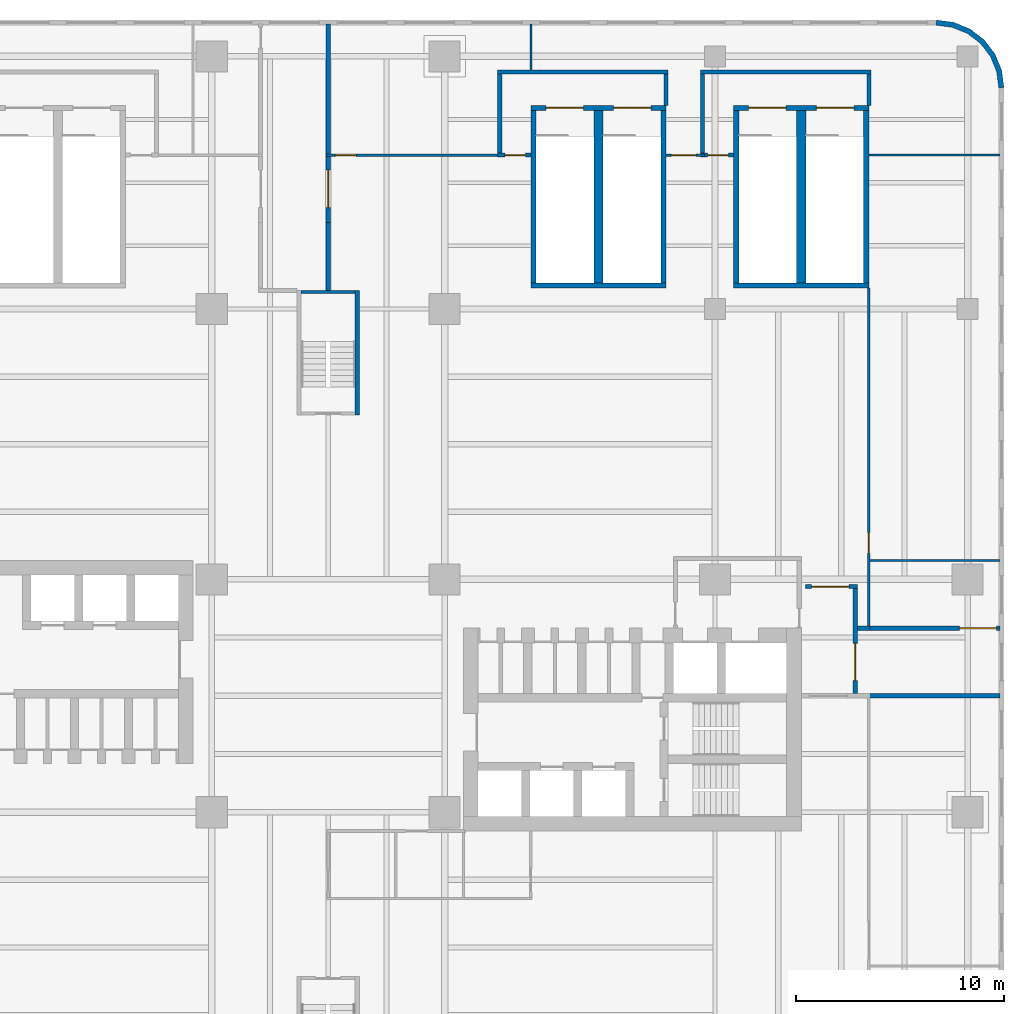
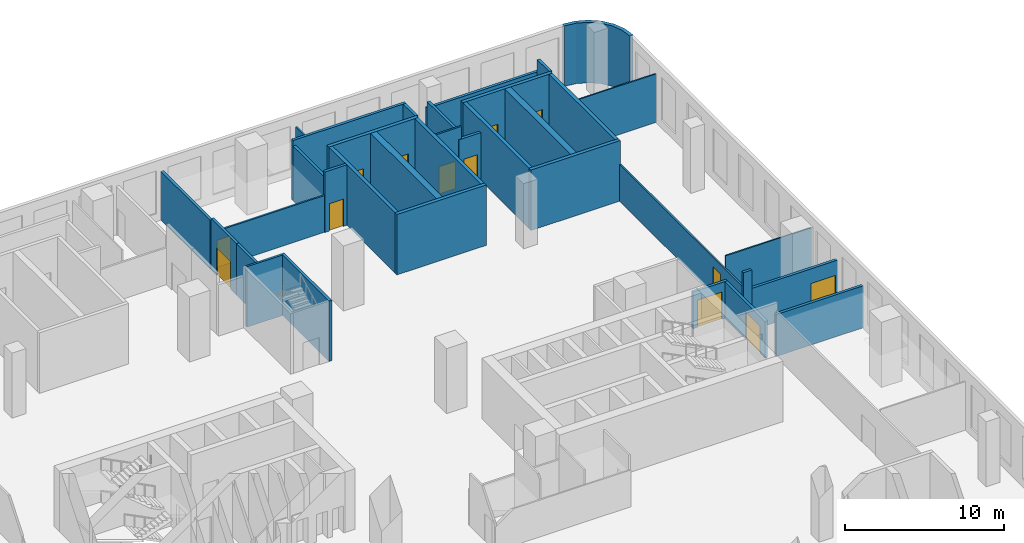
# One storey, part 10 of 13: 35 walls, 13 doors, 13 openings.
"""IFC4 building model written with IfcOpenShell, lengths in metres."""

from ifc_helpers import new_model, si_unit, direction, frame, frame_2d, origin, place, context, subcontext, project, spatial, polyline, rectangle, outline, extrude, source, transform, mapped, material, layer, layer_set, type_object, element, fill, save


model = new_model("IFC4")

# Units and contexts
model_context = context("Model", 3, precision=1e-05, world=origin(), true_north=direction((0.0, 1.0)))
body_context = subcontext(model_context, "Body", "Model", "MODEL_VIEW")
ifc_project = project(units=[si_unit("LENGTHUNIT", "METRE"), si_unit("AREAUNIT", "SQUARE_METRE"), si_unit("VOLUMEUNIT", "CUBIC_METRE"), si_unit("PLANEANGLEUNIT", "RADIAN"), si_unit("MASSUNIT", "GRAM", prefix="KILO")], contexts=[model_context])

# Site, building, storey
site_placement = place(None, origin())
site = spatial("IfcSite", under=ifc_project, at=site_placement, CompositionType="ELEMENT")
building_placement = place(site_placement, origin())
building = spatial("IfcBuilding", under=site, at=building_placement, Name="Trellis Farm Tower", CompositionType="ELEMENT")
storey_placement = place(building_placement, frame((0.0, 0.0, 29.0)))
storey = spatial("IfcBuildingStorey", under=building, at=storey_placement, Name="L05", CompositionType="ELEMENT", Elevation=29.0)

# Walls
ifc_material_1 = material(Name="Sandstone faced insulated wall", Category="masonry")
ifc_layer_1 = layer(ifc_material_1, 0.25)
ifc_layer_set_1 = layer_set([ifc_layer_1], Name="STONE CLAD EXTERNAL WALL 250")
wall_type_1 = type_object("IfcWallType", Name="STONE CLAD EXTERNAL WALL 250", PredefinedType="SOLIDWALL", material=ifc_layer_set_1)
wall_1_placement = place(storey_placement, origin())
element("IfcWall", 1, at=wall_1_placement, inside=storey, type_object=wall_type_1, Name="EW5 C01", PredefinedType="SOLIDWALL", context=body_context, shape_type="SweptSolid", body=[
    extrude(outline(polyline([(32.5, 29.25), (32.38916015625, 30.091064453125), (32.064697265625, 30.875), (31.548095703125, 31.548095703125), (30.875, 32.064697265625), (30.091064453125, 32.38916015625), (29.25, 32.5), (29.233642578125, 32.25), (30.02587890625, 32.145751953125), (30.7490234375, 31.84619140625), (31.369873046875, 31.369873046875), (31.84619140625, 30.7490234375), (32.145751953125, 30.02587890625), (32.25, 29.233642578125), (32.5, 29.25)])), origin(), (0.0, 0.0, 1.0), 4.64990234375),
])
ifc_material_2 = material(Name="Concrete C80/95", Category="concrete")
ifc_layer_2 = layer(ifc_material_2, 0.199951171875)
ifc_layer_set_2 = layer_set([ifc_layer_2], Name="CORE STAIR ENCLOSURE WALL 200 CONCRETE C80/95")
wall_type_2 = type_object("IfcWallType", Name="CORE STAIR ENCLOSURE WALL 200 CONCRETE C80/95", PredefinedType="SHEAR", material=ifc_layer_set_2)
shared_shape_1 = source(origin(), body_context, "Body", "SweptSolid", [
    extrude(rectangle(XDim=6.0, YDim=0.199951171875, at=frame_2d((3.0, 0.0))), origin(), (0.0, 0.0, 1.0), 4.64990234375),
])
wall_2_placement = place(storey_placement, frame((1.39990234375, 13.5, 0.0), z_axis=(0.0, 0.0, 1.0), x_axis=(0.0, 1.0, 0.0)))
element("IfcWall", 2, at=wall_2_placement, inside=storey, type_object=wall_type_2, Name="Stair enclosure wall", PredefinedType="SHEAR", context=body_context, shape_type="MappedRepresentation", body=[
    mapped(shared_shape_1, transform((0.0, 0.0, 0.0))),
])
ifc_layer_3 = layer(ifc_material_2, 0.14990234375)
ifc_layer_set_3 = layer_set([ifc_layer_3], Name="CORE STAIR ENCLOSURE WALL 150 CONCRETE C80/95")
wall_type_3 = type_object("IfcWallType", Name="CORE STAIR ENCLOSURE WALL 150 CONCRETE C80/95", PredefinedType="SHEAR", material=ifc_layer_set_3)
shared_shape_2 = source(origin(), body_context, "Body", "SweptSolid", [
    extrude(rectangle(XDim=2.60009765625, YDim=0.14990234375, at=frame_2d((1.300048828125, 0.0))), origin(), (0.0, 0.0, 1.0), 4.64990234375),
])
wall_3_placement = place(storey_placement, frame((-1.300048828125, 19.425048828125, 0.0), z_axis=(0.0, 0.0, 1.0), x_axis=(1.0, 0.0, 0.0)))
element("IfcWall", 3, at=wall_3_placement, inside=storey, type_object=wall_type_3, Name="Stair enclosure wall", PredefinedType="SHEAR", context=body_context, shape_type="MappedRepresentation", body=[
    mapped(shared_shape_2, transform((0.0, 0.0, 0.0))),
])

# Wall, openings, doors
ifc_layer_4 = layer(ifc_material_2, 0.25)
ifc_layer_set_4 = layer_set([ifc_layer_4], Name="CORE STAIR ENCLOSURE WALL 250 CONCRETE C80/95")
wall_type_4 = type_object("IfcWallType", Name="CORE STAIR ENCLOSURE WALL 250 CONCRETE C80/95", PredefinedType="SHEAR", material=ifc_layer_set_4)
shared_shape_3 = source(origin(), body_context, "Body", "SweptSolid", [
    extrude(rectangle(XDim=6.5, YDim=0.25, at=frame_2d((3.25, 0.0))), origin(), (0.0, 0.0, 1.0), 4.64990234375),
])
wall_4_placement = place(storey_placement, frame((9.75, 28.27490234375, 0.0), z_axis=(0.0, 0.0, 1.0), x_axis=(1.0, 0.0, 0.0)))
wall_4 = element("IfcWall", 4, at=wall_4_placement, inside=storey, type_object=wall_type_4, Name="Podium stair enclosure wall", PredefinedType="SHEAR", context=body_context, shape_type="MappedRepresentation", body=[
    mapped(shared_shape_3, transform((0.0, 0.0, 0.0))),
])
shared_shape_4 = source(origin(), body_context, "Body", "SweptSolid", [
    extrude(rectangle(XDim=1.800048828125, YDim=2.10009765625, at=frame_2d((0.89990234375, 1.050048828125))), frame((0.0, 0.135009765625, 0.0), z_axis=(0.0, -1.0, 0.0), x_axis=(1.0, 0.0, 0.0)), (0.0, 0.0, 1.0), 0.27001953125),
])
opening_1_placement = place(wall_4_placement, frame((0.72509765625, 0.0, 0.0)))
opening_1 = element("IfcOpeningElement", 5, at=opening_1_placement, cuts=wall_4, Name="Opening DP5", PredefinedType="OPENING", context=body_context, shape_type="MappedRepresentation", body=[
    mapped(shared_shape_4, transform((0.0, 0.0, 0.0))),
])
opening_2_placement = place(wall_4_placement, frame((3.97509765625, 0.0, 0.0)))
opening_2 = element("IfcOpeningElement", 6, at=opening_2_placement, cuts=wall_4, Name="Opening DP6", PredefinedType="OPENING", context=body_context, shape_type="MappedRepresentation", body=[
    mapped(shared_shape_4, transform((0.0, 0.0, 0.0))),
])
ifc_material_3 = material(Name="Steel", Category="steel")
door_type_1 = type_object("IfcDoorType", Name="CORE FIRE DOOR DOUBLE 1800 X 2100", OperationType="DOUBLE_DOOR_SINGLE_SWING", PredefinedType="DOOR", material=ifc_material_3)
shared_shape_5 = source(origin(), body_context, "Body", "SweptSolid", [
    extrude(rectangle(XDim=1.800048828125, YDim=2.10009765625, at=frame_2d((0.89990234375, 1.050048828125))), frame((0.0, 0.02490234375, 0.0), z_axis=(0.0, -1.0, 0.0), x_axis=(1.0, 0.0, 0.0)), (0.0, 0.0, 1.0), 0.050048828125),
])
door_1_placement = place(opening_1_placement, origin())
door_1 = element("IfcDoor", 7, at=door_1_placement, inside=storey, type_object=door_type_1, Name="Podium stair door", OperationType="DOUBLE_DOOR_SINGLE_SWING", OverallHeight=2.10009765625, OverallWidth=1.800048828125, PredefinedType="DOOR", context=body_context, shape_type="MappedRepresentation", body=[
    mapped(shared_shape_5, transform((0.0, 0.0, 0.0))),
])
fill(opening_1, door_1)
door_2_placement = place(opening_2_placement, origin())
door_2 = element("IfcDoor", 8, at=door_2_placement, inside=storey, type_object=door_type_1, Name="Podium stair door", OperationType="DOUBLE_DOOR_SINGLE_SWING", OverallHeight=2.10009765625, OverallWidth=1.800048828125, PredefinedType="DOOR", context=body_context, shape_type="MappedRepresentation", body=[
    mapped(shared_shape_5, transform((0.0, 0.0, 0.0))),
])
fill(opening_2, door_2)

# Wall
wall_5_placement = place(storey_placement, frame((9.75, 19.72509765625, 0.0), z_axis=(0.0, 0.0, 1.0), x_axis=(1.0, 0.0, 0.0)))
element("IfcWall", 9, at=wall_5_placement, inside=storey, type_object=wall_type_4, Name="Podium stair enclosure wall", PredefinedType="SHEAR", context=body_context, shape_type="MappedRepresentation", body=[
    mapped(shared_shape_3, transform((0.0, 0.0, 0.0))),
])

# Wall, openings, doors
wall_6_placement = place(storey_placement, frame((19.5, 28.27490234375, 0.0), z_axis=(0.0, 0.0, 1.0), x_axis=(1.0, 0.0, 0.0)))
wall_6 = element("IfcWall", 10, at=wall_6_placement, inside=storey, type_object=wall_type_4, Name="Podium stair enclosure wall", PredefinedType="SHEAR", context=body_context, shape_type="MappedRepresentation", body=[
    mapped(shared_shape_3, transform((0.0, 0.0, 0.0))),
])
opening_3_placement = place(wall_6_placement, frame((0.72509765625, 0.0, 0.0)))
opening_3 = element("IfcOpeningElement", 11, at=opening_3_placement, cuts=wall_6, Name="Opening DP7", PredefinedType="OPENING", context=body_context, shape_type="MappedRepresentation", body=[
    mapped(shared_shape_4, transform((0.0, 0.0, 0.0))),
])
opening_4_placement = place(wall_6_placement, frame((3.97509765625, 0.0, 0.0)))
opening_4 = element("IfcOpeningElement", 12, at=opening_4_placement, cuts=wall_6, Name="Opening DP8", PredefinedType="OPENING", context=body_context, shape_type="MappedRepresentation", body=[
    mapped(shared_shape_4, transform((0.0, 0.0, 0.0))),
])
door_3_placement = place(opening_3_placement, origin())
door_3 = element("IfcDoor", 13, at=door_3_placement, inside=storey, type_object=door_type_1, Name="Podium stair door", OperationType="DOUBLE_DOOR_SINGLE_SWING", OverallHeight=2.10009765625, OverallWidth=1.800048828125, PredefinedType="DOOR", context=body_context, shape_type="MappedRepresentation", body=[
    mapped(shared_shape_5, transform((0.0, 0.0, 0.0))),
])
fill(opening_3, door_3)
door_4_placement = place(opening_4_placement, origin())
door_4 = element("IfcDoor", 14, at=door_4_placement, inside=storey, type_object=door_type_1, Name="Podium stair door", OperationType="DOUBLE_DOOR_SINGLE_SWING", OverallHeight=2.10009765625, OverallWidth=1.800048828125, PredefinedType="DOOR", context=body_context, shape_type="MappedRepresentation", body=[
    mapped(shared_shape_5, transform((0.0, 0.0, 0.0))),
])
fill(opening_4, door_4)

# Walls
wall_7_placement = place(storey_placement, frame((19.5, 19.72509765625, 0.0), z_axis=(0.0, 0.0, 1.0), x_axis=(1.0, 0.0, 0.0)))
element("IfcWall", 15, at=wall_7_placement, inside=storey, type_object=wall_type_4, Name="Podium stair enclosure wall", PredefinedType="SHEAR", context=body_context, shape_type="MappedRepresentation", body=[
    mapped(shared_shape_3, transform((0.0, 0.0, 0.0))),
])
shared_shape_6 = source(origin(), body_context, "Body", "SweptSolid", [
    extrude(rectangle(XDim=8.2998046875, YDim=0.25, at=frame_2d((4.14990234375, 0.0))), origin(), (0.0, 0.0, 1.0), 4.64990234375),
])
for number, where, z_axis, x_axis, name in (
    (16, (9.875, 19.85009765625, 0.0), (0.0, 0.0, 1.0), (0.0, 1.0, 0.0), "Podium stair enclosure wall"),
    (17, (16.125, 19.85009765625, 0.0), (0.0, 0.0, 1.0), (0.0, 1.0, 0.0), "Podium stair enclosure wall"),
    (18, (19.625, 19.85009765625, 0.0), (0.0, 0.0, 1.0), (0.0, 1.0, 0.0), "Podium stair enclosure wall"),
    (19, (25.875, 19.85009765625, 0.0), (0.0, 0.0, 1.0), (0.0, 1.0, 0.0), "Podium stair enclosure wall"),
):
    element("IfcWall", number, at=place(storey_placement, frame(where, z_axis=z_axis, x_axis=x_axis)), inside=storey, type_object=wall_type_4, Name=name, PredefinedType="SHEAR", context=body_context, shape_type="MappedRepresentation", body=[
        mapped(shared_shape_6, transform((0.0, 0.0, 0.0))),
    ])
ifc_layer_5 = layer(ifc_material_2, 0.43994140625)
ifc_layer_set_5 = layer_set([ifc_layer_5], Name="CORE STAIR ENCLOSURE WALL 440 CONCRETE C80/95")
wall_type_5 = type_object("IfcWallType", Name="CORE STAIR ENCLOSURE WALL 440 CONCRETE C80/95", PredefinedType="SHEAR", material=ifc_layer_set_5)
shared_shape_7 = source(origin(), body_context, "Body", "SweptSolid", [
    extrude(rectangle(XDim=8.2998046875, YDim=0.43994140625, at=frame_2d((4.14990234375, 0.0))), origin(), (0.0, 0.0, 1.0), 4.64990234375),
])
for number, where, z_axis, x_axis, name in (
    (20, (13.0, 19.85009765625, 0.0), (0.0, 0.0, 1.0), (0.0, 1.0, 0.0), "Podium stair enclosure wall"),
    (21, (22.75, 19.85009765625, 0.0), (0.0, 0.0, 1.0), (0.0, 1.0, 0.0), "Podium stair enclosure wall"),
):
    element("IfcWall", number, at=place(storey_placement, frame(where, z_axis=z_axis, x_axis=x_axis)), inside=storey, type_object=wall_type_5, Name=name, PredefinedType="SHEAR", context=body_context, shape_type="MappedRepresentation", body=[
        mapped(shared_shape_7, transform((0.0, 0.0, 0.0))),
    ])
ifc_material_4 = material(Name="Lightweight blockwork, plastered", Category="masonry")
ifc_layer_6 = layer(ifc_material_4, 0.199951171875)
ifc_layer_set_6 = layer_set([ifc_layer_6], Name="BLOCK WALL 200 EI 120")
wall_type_6 = type_object("IfcWallType", Name="BLOCK WALL 200 EI 120", PredefinedType="PARTITIONING", material=ifc_layer_set_6)
shared_shape_8 = source(origin(), body_context, "Body", "SweptSolid", [
    extrude(rectangle(XDim=1.5, YDim=0.199951171875, at=frame_2d((0.75, 0.0))), origin(), (0.0, 0.0, 1.0), 4.64990234375),
])
for number, where, z_axis, x_axis, name in (
    (22, (16.25, 29.89990234375, 0.0), (0.0, 0.0, 1.0), (0.0, -1.0, 0.0), "Partition PW3"),
    (23, (26.0, 29.89990234375, 0.0), (0.0, 0.0, 1.0), (0.0, -1.0, 0.0), "Partition PW3"),
):
    element("IfcWall", number, at=place(storey_placement, frame(where, z_axis=z_axis, x_axis=x_axis)), inside=storey, type_object=wall_type_6, Name=name, PredefinedType="PARTITIONING", context=body_context, shape_type="MappedRepresentation", body=[
        mapped(shared_shape_8, transform((0.0, 0.0, 0.0))),
    ])
shared_shape_9 = source(origin(), body_context, "Body", "SweptSolid", [
    extrude(rectangle(XDim=3.7998046875, YDim=0.199951171875, at=frame_2d((1.89990234375, 0.0))), origin(), (0.0, 0.0, 1.0), 4.2236328125),
])
for number, where, z_axis, x_axis, name in (
    (24, (8.25, 26.10009765625, 0.0), (0.0, 0.0, 1.0), (0.0, 1.0, 0.0), "Partition PW3"),
    (25, (18.0, 29.89990234375, 0.0), (0.0, 0.0, 1.0), (0.0, -1.0, 0.0), "Partition PW3"),
):
    element("IfcWall", number, at=place(storey_placement, frame(where, z_axis=z_axis, x_axis=x_axis)), inside=storey, type_object=wall_type_6, Name=name, PredefinedType="PARTITIONING", context=body_context, shape_type="MappedRepresentation", body=[
        mapped(shared_shape_9, transform((0.0, 0.0, 0.0))),
    ])
shared_shape_10 = source(origin(), body_context, "Body", "SweptSolid", [
    extrude(rectangle(XDim=6.237548828125, YDim=0.199951171875, at=frame_2d((3.11865234375, 0.0))), origin(), (0.0, 0.0, 1.0), 3.72998046875),
])
wall_8_placement = place(storey_placement, frame((0.0, 32.300048828125, 0.0), z_axis=(0.0, 0.0, 1.0), x_axis=(0.0, -1.0, 0.0)))
element("IfcWall", 26, at=wall_8_placement, inside=storey, type_object=wall_type_6, Name="Partition PW3", PredefinedType="PARTITIONING", context=body_context, shape_type="MappedRepresentation", body=[
    mapped(shared_shape_10, transform((0.0, 0.0, 0.0))),
])

# Wall, opening, door
shared_shape_11 = source(origin(), body_context, "Body", "SweptSolid", [
    extrude(rectangle(XDim=3.1875, YDim=0.199951171875, at=frame_2d((1.59375, 0.0))), origin(), (0.0, 0.0, 1.0), 3.946533203125),
])
wall_9_placement = place(storey_placement, frame((0.0, 25.9375, 0.0), z_axis=(0.0, 0.0, 1.0), x_axis=(0.0, -1.0, 0.0)))
wall_9 = element("IfcWall", 27, at=wall_9_placement, inside=storey, type_object=wall_type_6, Name="Partition PW3", PredefinedType="PARTITIONING", context=body_context, shape_type="MappedRepresentation", body=[
    mapped(shared_shape_11, transform((0.0, 0.0, 0.0))),
])
shared_shape_12 = source(origin(), body_context, "Body", "SweptSolid", [
    extrude(rectangle(XDim=1.800048828125, YDim=2.10009765625, at=frame_2d((0.89990234375, 1.050048828125))), frame((0.0, 0.110107421875, 0.0), z_axis=(0.0, -1.0, 0.0), x_axis=(1.0, 0.0, 0.0)), (0.0, 0.0, 1.0), 0.22021484375),
])
opening_5_placement = place(wall_9_placement, frame((0.66259765625, 0.0, 0.0)))
opening_5 = element("IfcOpeningElement", 28, at=opening_5_placement, cuts=wall_9, Name="Opening D410", PredefinedType="OPENING", context=body_context, shape_type="MappedRepresentation", body=[
    mapped(shared_shape_12, transform((0.0, 0.0, 0.0))),
])
ifc_material_5 = material(Name="Fire-rated timber door leaf in a hollow metal frame", Category="wood")
door_type_2 = type_object("IfcDoorType", Name="DOOR PAIR 1800x2100 FD60", OperationType="NOTDEFINED", PredefinedType="DOOR", material=ifc_material_5)
door_5_placement = place(opening_5_placement, origin())
door_5 = element("IfcDoor", 29, at=door_5_placement, inside=storey, type_object=door_type_2, Name="Door D410", OperationType="DOUBLE_DOOR_SINGLE_SWING", OverallHeight=2.10009765625, OverallWidth=1.800048828125, PredefinedType="DOOR", context=body_context, shape_type="MappedRepresentation", body=[
    mapped(shared_shape_5, transform((0.0, 0.0, 0.0))),
])
fill(opening_5, door_5)

# Walls
shared_shape_13 = source(origin(), body_context, "Body", "SweptSolid", [
    extrude(rectangle(XDim=3.25, YDim=0.199951171875, at=frame_2d((1.625, 0.0))), origin(), (0.0, 0.0, 1.0), 3.946533203125),
])
wall_10_placement = place(storey_placement, frame((0.0, 19.5, 0.0), z_axis=(0.0, 0.0, 1.0), x_axis=(0.0, 1.0, 0.0)))
element("IfcWall", 30, at=wall_10_placement, inside=storey, type_object=wall_type_6, Name="Partition PW3", PredefinedType="PARTITIONING", context=body_context, shape_type="MappedRepresentation", body=[
    mapped(shared_shape_13, transform((0.0, 0.0, 0.0))),
])
ifc_material_6 = material(Name="Plasterboard on steel studs", Category="steel")
ifc_layer_7 = layer(ifc_material_6, 0.10009765625)
ifc_layer_set_7 = layer_set([ifc_layer_7], Name="PARTITION 100 STUD EI 30")
wall_type_7 = type_object("IfcWallType", Name="PARTITION 100 STUD EI 30", PredefinedType="PARTITIONING", material=ifc_layer_set_7)
shared_shape_14 = source(origin(), body_context, "Body", "SweptSolid", [
    extrude(rectangle(XDim=6.237548828125, YDim=0.10009765625, at=frame_2d((3.11865234375, 0.0))), origin(), (0.0, 0.0, 1.0), 3.72998046875),
])
wall_11_placement = place(storey_placement, frame((26.0625, 6.5, 0.0), z_axis=(0.0, 0.0, 1.0), x_axis=(1.0, 0.0, 0.0)))
element("IfcWall", 31, at=wall_11_placement, inside=storey, type_object=wall_type_7, Name="Partition PW2", PredefinedType="PARTITIONING", context=body_context, shape_type="MappedRepresentation", body=[
    mapped(shared_shape_14, transform((0.0, 0.0, 0.0))),
])
shared_shape_15 = source(origin(), body_context, "Body", "SweptSolid", [
    extrude(rectangle(XDim=2.199951171875, YDim=0.10009765625, at=frame_2d((1.10009765625, 0.0))), origin(), (0.0, 0.0, 1.0), 3.72998046875),
])
wall_12_placement = place(storey_placement, frame((9.75, 30.10009765625, 0.0), z_axis=(0.0, 0.0, 1.0), x_axis=(0.0, 1.0, 0.0)))
element("IfcWall", 32, at=wall_12_placement, inside=storey, type_object=wall_type_7, Name="Partition PW2", PredefinedType="PARTITIONING", context=body_context, shape_type="MappedRepresentation", body=[
    mapped(shared_shape_15, transform((0.0, 0.0, 0.0))),
])

# Wall, opening, door
shared_shape_16 = source(origin(), body_context, "Body", "SweptSolid", [
    extrude(rectangle(XDim=5.0498046875, YDim=0.199951171875, at=frame_2d((2.52490234375, 0.0))), origin(), (0.0, 0.0, 1.0), 2.830078125),
])
wall_13_placement = place(storey_placement, frame((25.35009765625, 5.14990234375, 0.0), z_axis=(0.0, 0.0, 1.0), x_axis=(0.0, -1.0, 0.0)))
wall_13 = element("IfcWall", 33, at=wall_13_placement, inside=storey, type_object=wall_type_6, Name="Partition PW3", PredefinedType="PARTITIONING", context=body_context, shape_type="MappedRepresentation", body=[
    mapped(shared_shape_16, transform((0.0, 0.0, 0.0))),
])
opening_6_placement = place(wall_13_placement, frame((2.625, 0.0, 0.0)))
opening_6 = element("IfcOpeningElement", 34, at=opening_6_placement, cuts=wall_13, Name="Opening D407", PredefinedType="OPENING", context=body_context, shape_type="MappedRepresentation", body=[
    mapped(shared_shape_12, transform((0.0, 0.0, 0.0))),
])
door_6_placement = place(opening_6_placement, origin())
door_6 = element("IfcDoor", 35, at=door_6_placement, inside=storey, type_object=door_type_2, Name="Door D407", OperationType="DOUBLE_DOOR_SINGLE_SWING", OverallHeight=2.10009765625, OverallWidth=1.800048828125, PredefinedType="DOOR", context=body_context, shape_type="MappedRepresentation", body=[
    mapped(shared_shape_5, transform((0.0, 0.0, 0.0))),
])
fill(opening_6, door_6)

ifc_material_7 = material(Name="Plasterboard on steel studs, mineral wool", Category="steel")
ifc_layer_8 = layer(ifc_material_7, 0.125)
ifc_layer_set_8 = layer_set([ifc_layer_8], Name="PARTITION 125 STUD EI 60")
wall_type_8 = type_object("IfcWallType", Name="PARTITION 125 STUD EI 60", PredefinedType="PARTITIONING", material=ifc_layer_set_8)
shared_shape_17 = source(origin(), body_context, "Body", "SweptSolid", [
    extrude(rectangle(XDim=16.25, YDim=0.125, at=frame_2d((8.125, 0.0))), origin(), (0.0, 0.0, 1.0), 2.830078125),
])
wall_14_placement = place(storey_placement, frame((26.0, 19.60009765625, 0.0), z_axis=(0.0, 0.0, 1.0), x_axis=(0.0, -1.0, 0.0)))
wall_14 = element("IfcWall", 36, at=wall_14_placement, inside=storey, type_object=wall_type_8, Name="Partition PW1", PredefinedType="PARTITIONING", context=body_context, shape_type="MappedRepresentation", body=[
    mapped(shared_shape_17, transform((0.0, 0.0, 0.0))),
])
shared_shape_18 = source(origin(), body_context, "Body", "SweptSolid", [
    extrude(rectangle(XDim=1.0, YDim=2.10009765625, at=frame_2d((0.5, 1.050048828125))), frame((0.0, 0.072509765625, 0.0), z_axis=(0.0, -1.0, 0.0), x_axis=(1.0, 0.0, 0.0)), (0.0, 0.0, 1.0), 0.14501953125),
])
opening_7_placement = place(wall_14_placement, frame((11.75, 0.0, 0.0)))
opening_7 = element("IfcOpeningElement", 37, at=opening_7_placement, cuts=wall_14, Name="Opening D107", PredefinedType="OPENING", context=body_context, shape_type="MappedRepresentation", body=[
    mapped(shared_shape_18, transform((0.0, 0.0, 0.0))),
])
door_type_3 = type_object("IfcDoorType", Name="DOOR 1000x2100 FD30S", OperationType="NOTDEFINED", PredefinedType="DOOR", material=ifc_material_5)
shared_shape_19 = source(origin(), body_context, "Body", "SweptSolid", [
    extrude(rectangle(XDim=1.0, YDim=2.10009765625, at=frame_2d((0.5, 1.050048828125))), frame((0.0, 0.02490234375, 0.0), z_axis=(0.0, -1.0, 0.0), x_axis=(1.0, 0.0, 0.0)), (0.0, 0.0, 1.0), 0.050048828125),
])
door_7_placement = place(opening_7_placement, origin())
door_7 = element("IfcDoor", 38, at=door_7_placement, inside=storey, type_object=door_type_3, Name="Door D107", OperationType="SINGLE_SWING_RIGHT", OverallHeight=2.10009765625, OverallWidth=1.0, PredefinedType="DOOR", context=body_context, shape_type="MappedRepresentation", body=[
    mapped(shared_shape_19, transform((0.0, 0.0, 0.0))),
])
fill(opening_7, door_7)

# Walls
shared_shape_20 = source(origin(), body_context, "Body", "SweptSolid", [
    extrude(rectangle(XDim=8.2001953125, YDim=0.199951171875, at=frame_2d((4.10009765625, 0.0))), origin(), (0.0, 0.0, 1.0), 4.64990234375),
])
wall_15_placement = place(storey_placement, frame((16.35009765625, 30.0, 0.0), z_axis=(0.0, 0.0, 1.0), x_axis=(-1.0, 0.0, 0.0)))
element("IfcWall", 39, at=wall_15_placement, inside=storey, type_object=wall_type_6, Name="Partition PW3", PredefinedType="PARTITIONING", context=body_context, shape_type="MappedRepresentation", body=[
    mapped(shared_shape_20, transform((0.0, 0.0, 0.0))),
])
shared_shape_21 = source(origin(), body_context, "Body", "SweptSolid", [
    extrude(rectangle(XDim=8.2001953125, YDim=0.199951171875, at=frame_2d((4.10009765625, 0.0))), origin(), (0.0, 0.0, 1.0), 3.711669921875),
])
wall_16_placement = place(storey_placement, frame((26.10009765625, 30.0, 0.0), z_axis=(0.0, 0.0, 1.0), x_axis=(-1.0, 0.0, 0.0)))
element("IfcWall", 40, at=wall_16_placement, inside=storey, type_object=wall_type_6, Name="Partition PW3", PredefinedType="PARTITIONING", context=body_context, shape_type="MappedRepresentation", body=[
    mapped(shared_shape_21, transform((0.0, 0.0, 0.0))),
])

# Wall, opening, door
shared_shape_22 = source(origin(), body_context, "Body", "SweptSolid", [
    extrude(rectangle(XDim=1.60009765625, YDim=0.199951171875, at=frame_2d((0.800048828125, 0.0))), origin(), (0.0, 0.0, 1.0), 4.64990234375),
])
wall_17_placement = place(storey_placement, frame((9.75, 26.0, 0.0), z_axis=(0.0, 0.0, 1.0), x_axis=(-1.0, 0.0, 0.0)))
wall_17 = element("IfcWall", 41, at=wall_17_placement, inside=storey, type_object=wall_type_6, Name="Partition PW3", PredefinedType="PARTITIONING", context=body_context, shape_type="MappedRepresentation", body=[
    mapped(shared_shape_22, transform((0.0, 0.0, 0.0))),
])
shared_shape_23 = source(origin(), body_context, "Body", "SweptSolid", [
    extrude(rectangle(XDim=1.0, YDim=2.10009765625, at=frame_2d((0.5, 1.050048828125))), frame((0.0, 0.110107421875, 0.0), z_axis=(0.0, -1.0, 0.0), x_axis=(1.0, 0.0, 0.0)), (0.0, 0.0, 1.0), 0.22021484375),
])
opening_8_placement = place(wall_17_placement, frame((0.25, 0.0, 0.0)))
opening_8 = element("IfcOpeningElement", 42, at=opening_8_placement, cuts=wall_17, Name="Opening D307", PredefinedType="OPENING", context=body_context, shape_type="MappedRepresentation", body=[
    mapped(shared_shape_23, transform((0.0, 0.0, 0.0))),
])
door_type_4 = type_object("IfcDoorType", Name="DOOR 1000x2100 FD60", OperationType="NOTDEFINED", PredefinedType="DOOR", material=ifc_material_5)
door_8_placement = place(opening_8_placement, origin())
door_8 = element("IfcDoor", 43, at=door_8_placement, inside=storey, type_object=door_type_4, Name="Door D307", OperationType="SINGLE_SWING_LEFT", OverallHeight=2.10009765625, OverallWidth=1.0, PredefinedType="DOOR", context=body_context, shape_type="MappedRepresentation", body=[
    mapped(shared_shape_19, transform((0.0, 0.0, 0.0))),
])
fill(opening_8, door_8)

shared_shape_24 = source(origin(), body_context, "Body", "SweptSolid", [
    extrude(rectangle(XDim=1.60009765625, YDim=0.199951171875, at=frame_2d((0.800048828125, 0.0))), origin(), (0.0, 0.0, 1.0), 3.711669921875),
])
wall_18_placement = place(storey_placement, frame((19.5, 26.0, 0.0), z_axis=(0.0, 0.0, 1.0), x_axis=(-1.0, 0.0, 0.0)))
wall_18 = element("IfcWall", 44, at=wall_18_placement, inside=storey, type_object=wall_type_6, Name="Partition PW3", PredefinedType="PARTITIONING", context=body_context, shape_type="MappedRepresentation", body=[
    mapped(shared_shape_24, transform((0.0, 0.0, 0.0))),
])
opening_9_placement = place(wall_18_placement, frame((0.25, 0.0, 0.0)))
opening_9 = element("IfcOpeningElement", 45, at=opening_9_placement, cuts=wall_18, Name="Opening D308", PredefinedType="OPENING", context=body_context, shape_type="MappedRepresentation", body=[
    mapped(shared_shape_23, transform((0.0, 0.0, 0.0))),
])
door_9_placement = place(opening_9_placement, origin())
door_9 = element("IfcDoor", 46, at=door_9_placement, inside=storey, type_object=door_type_4, Name="Door D308", OperationType="SINGLE_SWING_LEFT", OverallHeight=2.10009765625, OverallWidth=1.0, PredefinedType="DOOR", context=body_context, shape_type="MappedRepresentation", body=[
    mapped(shared_shape_19, transform((0.0, 0.0, 0.0))),
])
fill(opening_9, door_9)

# Wall
shared_shape_25 = source(origin(), body_context, "Body", "SweptSolid", [
    extrude(rectangle(XDim=6.300048828125, YDim=0.10009765625, at=frame_2d((3.14990234375, 0.0))), origin(), (0.0, 0.0, 1.0), 3.72998046875),
])
wall_19_placement = place(storey_placement, frame((26.0, 26.0, 0.0), z_axis=(0.0, 0.0, 1.0), x_axis=(1.0, 0.0, 0.0)))
element("IfcWall", 47, at=wall_19_placement, inside=storey, type_object=wall_type_7, Name="Partition PW2", PredefinedType="PARTITIONING", context=body_context, shape_type="MappedRepresentation", body=[
    mapped(shared_shape_25, transform((0.0, 0.0, 0.0))),
])

# Wall, opening, door
shared_shape_26 = source(origin(), body_context, "Body", "SweptSolid", [
    extrude(rectangle(XDim=1.85009765625, YDim=0.125, at=frame_2d((0.925048828125, 0.0))), origin(), (0.0, 0.0, 1.0), 4.64990234375),
])
wall_20_placement = place(storey_placement, frame((16.25, 26.0, 0.0), z_axis=(0.0, 0.0, 1.0), x_axis=(1.0, 0.0, 0.0)))
wall_20 = element("IfcWall", 48, at=wall_20_placement, inside=storey, type_object=wall_type_8, Name="Partition PW1", PredefinedType="PARTITIONING", context=body_context, shape_type="MappedRepresentation", body=[
    mapped(shared_shape_26, transform((0.0, 0.0, 0.0))),
])
shared_shape_27 = source(origin(), body_context, "Body", "SweptSolid", [
    extrude(rectangle(XDim=1.199951171875, YDim=2.10009765625, at=frame_2d((0.60009765625, 1.050048828125))), frame((0.0, 0.072509765625, 0.0), z_axis=(0.0, -1.0, 0.0), x_axis=(1.0, 0.0, 0.0)), (0.0, 0.0, 1.0), 0.14501953125),
])
opening_10_placement = place(wall_20_placement, frame((0.25, 0.0, 0.0)))
opening_10 = element("IfcOpeningElement", 49, at=opening_10_placement, cuts=wall_20, Name="Opening D605", PredefinedType="OPENING", context=body_context, shape_type="MappedRepresentation", body=[
    mapped(shared_shape_27, transform((0.0, 0.0, 0.0))),
])
door_type_5 = type_object("IfcDoorType", Name="DOOR 1200x2100 FD30S", OperationType="NOTDEFINED", PredefinedType="DOOR", material=ifc_material_5)
shared_shape_28 = source(origin(), body_context, "Body", "SweptSolid", [
    extrude(rectangle(XDim=1.199951171875, YDim=2.10009765625, at=frame_2d((0.60009765625, 1.050048828125))), frame((0.0, 0.02490234375, 0.0), z_axis=(0.0, -1.0, 0.0), x_axis=(1.0, 0.0, 0.0)), (0.0, 0.0, 1.0), 0.050048828125),
])
door_10_placement = place(opening_10_placement, origin())
door_10 = element("IfcDoor", 50, at=door_10_placement, inside=storey, type_object=door_type_5, Name="Door D605", OperationType="SINGLE_SWING_LEFT", OverallHeight=2.10009765625, OverallWidth=1.199951171875, PredefinedType="DOOR", context=body_context, shape_type="MappedRepresentation", body=[
    mapped(shared_shape_28, transform((0.0, 0.0, 0.0))),
])
fill(opening_10, door_10)

# Wall
shared_shape_29 = source(origin(), body_context, "Body", "SweptSolid", [
    extrude(rectangle(XDim=6.362548828125, YDim=0.199951171875, at=frame_2d((3.18115234375, 0.0))), origin(), (0.0, 0.0, 1.0), 3.22998046875),
])
wall_21_placement = place(storey_placement, frame((32.300048828125, 0.0, 0.0), z_axis=(0.0, 0.0, 1.0), x_axis=(-1.0, 0.0, 0.0)))
element("IfcWall", 51, at=wall_21_placement, inside=storey, type_object=wall_type_6, Name="Partition PW3", PredefinedType="PARTITIONING", context=body_context, shape_type="MappedRepresentation", body=[
    mapped(shared_shape_29, transform((0.0, 0.0, 0.0))),
])

# Wall, opening, door
wall_22_placement = place(storey_placement, frame((25.9375, 3.25, 0.0), z_axis=(0.0, 0.0, 1.0), x_axis=(1.0, 0.0, 0.0)))
wall_22 = element("IfcWall", 52, at=wall_22_placement, inside=storey, type_object=wall_type_6, Name="Partition PW3", PredefinedType="PARTITIONING", context=body_context, shape_type="MappedRepresentation", body=[
    mapped(shared_shape_29, transform((0.0, 0.0, 0.0))),
])
opening_11_placement = place(wall_22_placement, frame((4.41259765625, 0.0, 0.0)))
opening_11 = element("IfcOpeningElement", 53, at=opening_11_placement, cuts=wall_22, Name="Opening D203", PredefinedType="OPENING", context=body_context, shape_type="MappedRepresentation", body=[
    mapped(shared_shape_12, transform((0.0, 0.0, 0.0))),
])
door_type_6 = type_object("IfcDoorType", Name="DOOR PAIR 1800x2100 FD30S", OperationType="NOTDEFINED", PredefinedType="DOOR", material=ifc_material_5)
door_11_placement = place(opening_11_placement, origin())
door_11 = element("IfcDoor", 54, at=door_11_placement, inside=storey, type_object=door_type_6, Name="Door D203", OperationType="DOUBLE_DOOR_SINGLE_SWING", OverallHeight=2.10009765625, OverallWidth=1.800048828125, PredefinedType="DOOR", context=body_context, shape_type="MappedRepresentation", body=[
    mapped(shared_shape_5, transform((0.0, 0.0, 0.0))),
])
fill(opening_11, door_11)

# Wall
shared_shape_30 = source(origin(), body_context, "Body", "SweptSolid", [
    extrude(rectangle(XDim=0.612548828125, YDim=0.199951171875, at=frame_2d((0.30615234375, 0.0))), origin(), (0.0, 0.0, 1.0), 4.64990234375),
])
wall_23_placement = place(storey_placement, frame((25.449951171875, 3.25, 0.0), z_axis=(0.0, 0.0, 1.0), x_axis=(1.0, 0.0, 0.0)))
element("IfcWall", 55, at=wall_23_placement, inside=storey, type_object=wall_type_6, Name="Partition PW3", PredefinedType="PARTITIONING", context=body_context, shape_type="MappedRepresentation", body=[
    mapped(shared_shape_30, transform((0.0, 0.0, 0.0))),
])

# Wall, opening, door
shared_shape_31 = source(origin(), body_context, "Body", "SweptSolid", [
    extrude(rectangle(XDim=2.5, YDim=0.199951171875, at=frame_2d((1.25, 0.0))), origin(), (0.0, 0.0, 1.0), 2.830078125),
])
wall_24_placement = place(storey_placement, frame((22.949951171875, 5.25, 0.0), z_axis=(0.0, 0.0, 1.0), x_axis=(1.0, 0.0, 0.0)))
wall_24 = element("IfcWall", 56, at=wall_24_placement, inside=storey, type_object=wall_type_6, Name="Partition PW3", PredefinedType="PARTITIONING", context=body_context, shape_type="MappedRepresentation", body=[
    mapped(shared_shape_31, transform((0.0, 0.0, 0.0))),
])
opening_12_placement = place(wall_24_placement, frame((0.300048828125, 0.0, 0.0)))
opening_12 = element("IfcOpeningElement", 57, at=opening_12_placement, cuts=wall_24, Name="Opening D408", PredefinedType="OPENING", context=body_context, shape_type="MappedRepresentation", body=[
    mapped(shared_shape_12, transform((0.0, 0.0, 0.0))),
])
door_12_placement = place(opening_12_placement, origin())
door_12 = element("IfcDoor", 58, at=door_12_placement, inside=storey, type_object=door_type_2, Name="Door D408", OperationType="DOUBLE_DOOR_SINGLE_SWING", OverallHeight=2.10009765625, OverallWidth=1.800048828125, PredefinedType="DOOR", context=body_context, shape_type="MappedRepresentation", body=[
    mapped(shared_shape_5, transform((0.0, 0.0, 0.0))),
])
fill(opening_12, door_12)

shared_shape_32 = source(origin(), body_context, "Body", "SweptSolid", [
    extrude(rectangle(XDim=8.4501953125, YDim=0.125, at=frame_2d((4.22509765625, 0.0))), origin(), (0.0, 0.0, 1.0), 2.830078125),
])
wall_25_placement = place(storey_placement, frame((-0.10009765625, 26.0, 0.0), z_axis=(0.0, 0.0, 1.0), x_axis=(1.0, 0.0, 0.0)))
wall_25 = element("IfcWall", 59, at=wall_25_placement, inside=storey, type_object=wall_type_8, Name="Partition PW1", PredefinedType="PARTITIONING", context=body_context, shape_type="MappedRepresentation", body=[
    mapped(shared_shape_32, transform((0.0, 0.0, 0.0))),
])
opening_13_placement = place(wall_25_placement, frame((0.449951171875, 0.0, 0.0)))
opening_13 = element("IfcOpeningElement", 60, at=opening_13_placement, cuts=wall_25, Name="Opening D109", PredefinedType="OPENING", context=body_context, shape_type="MappedRepresentation", body=[
    mapped(shared_shape_18, transform((0.0, 0.0, 0.0))),
])
door_13_placement = place(opening_13_placement, origin())
door_13 = element("IfcDoor", 61, at=door_13_placement, inside=storey, type_object=door_type_3, Name="Door D109", OperationType="SINGLE_SWING_LEFT", OverallHeight=2.10009765625, OverallWidth=1.0, PredefinedType="DOOR", context=body_context, shape_type="MappedRepresentation", body=[
    mapped(shared_shape_19, transform((0.0, 0.0, 0.0))),
])
fill(opening_13, door_13)

save(model, "model.ifc")
